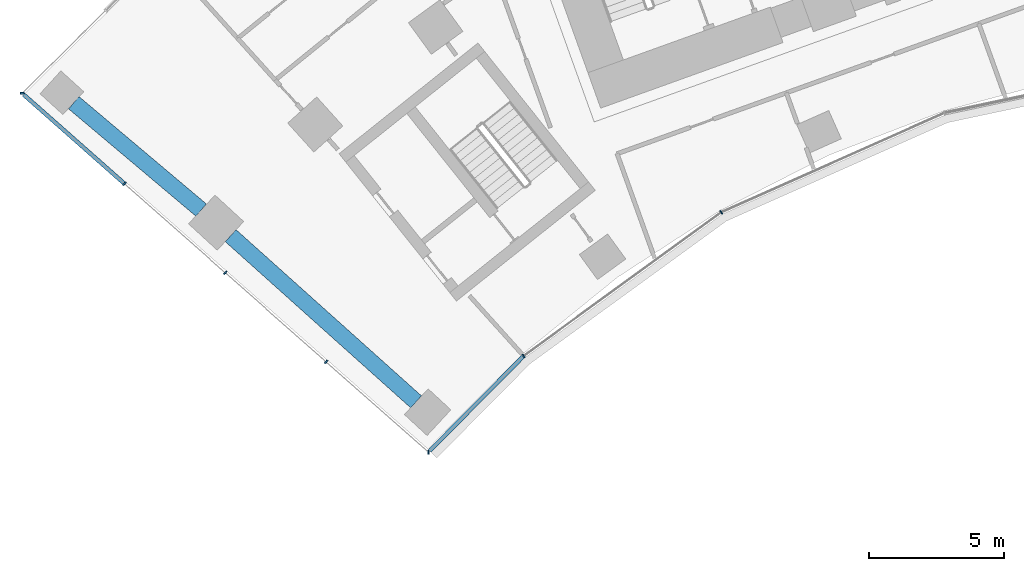
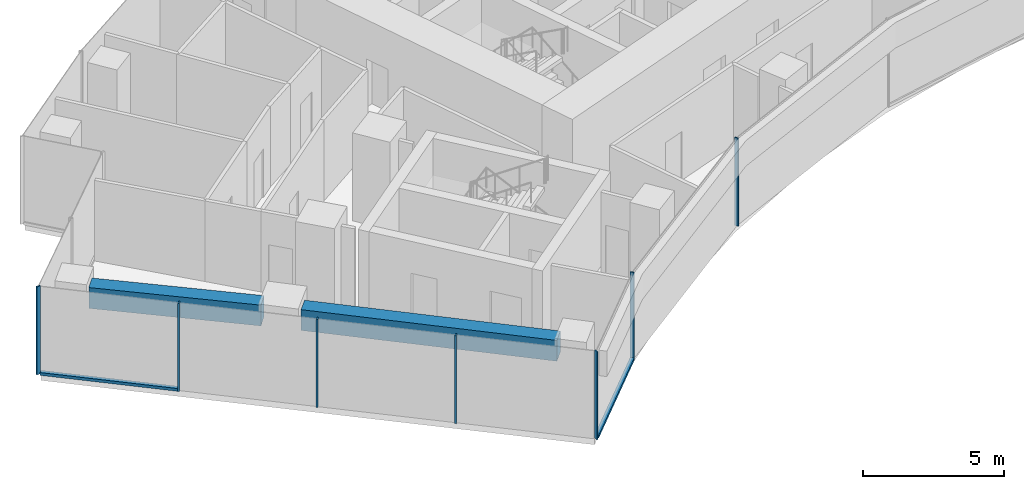
# One storey, part 2 of 21: 9 members, 2 beams, 2 elements without a shape of their own.
"""IFC4 building model written with IfcOpenShell, lengths in metres."""

from ifc_helpers import new_model, si_unit, direction, frame, origin, origin_2d, place, context, subcontext, project, spatial, rectangle, extrude, material, layer, layer_set, material_profile, profile_set, type_object, element, aggregate, save


model = new_model("IFC4")

# Units and contexts
model_context = context("Model", 3, precision=1e-05, world=origin(), true_north=direction((0.0, 1.0)))
body_context = subcontext(model_context, "Body", "Model", "MODEL_VIEW")
ifc_project = project(units=[si_unit("LENGTHUNIT", "METRE"), si_unit("AREAUNIT", "SQUARE_METRE"), si_unit("VOLUMEUNIT", "CUBIC_METRE"), si_unit("PLANEANGLEUNIT", "RADIAN"), si_unit("MASSUNIT", "GRAM", prefix="KILO")], contexts=[model_context])

# Site, building, storey
site_placement = place(None, origin())
site = spatial("IfcSite", under=ifc_project, at=site_placement, CompositionType="ELEMENT")
building_placement = place(site_placement, origin())
building = spatial("IfcBuilding", under=site, at=building_placement, Name="Stone Belt Terrace Tower", CompositionType="ELEMENT")
storey_placement = place(building_placement, frame((0.0, 0.0, 117.39990234375)))
storey = spatial("IfcBuildingStorey", under=building, at=storey_placement, Name="L28", CompositionType="ELEMENT", Elevation=117.39990234375)

# Curtain wall, members
ifc_material_1 = material(Name="Aluminium 6063-T6 anodised frame", Category="aluminium")
ifc_layer_1 = layer(ifc_material_1, 0.14990234375)
ifc_layer_set_1 = layer_set([ifc_layer_1], Name="CW-B unitised concave-face curtain wall")
curtain_wall_type_1 = type_object("IfcCurtainWallType", Name="CW-B unitised concave-face curtain wall", PredefinedType="NOTDEFINED", material=ifc_layer_set_1)
curtain_wall_1_placement = place(storey_placement, origin())
curtain_wall_1 = element("IfcCurtainWall", 1, at=curtain_wall_1_placement, inside=storey, type_object=curtain_wall_type_1, Name="CW-B concave face L28", PredefinedType="NOTDEFINED")
ifc_material_profile_1 = material_profile(ifc_material_1, rectangle(XDim=0.14990234375, YDim=0.050048828125, at=origin_2d()), Name="Aluminium 6063-T6 50x150")
ifc_profile_set_1 = profile_set([ifc_material_profile_1], Name="Aluminium 6063-T6 anodised frame")
member_type_1 = type_object("IfcMemberType", Name="CW-B mullion 50 x 150", PredefinedType="MULLION", material=ifc_profile_set_1)
member_1_placement = place(storey_placement, frame((-32.598876953125, 28.695068359375, 0.0), z_axis=(0.0, 0.0, 1.0), x_axis=(-0.03330979067, 0.999445074952, 0.0)))
member_1 = element("IfcMember", 2, at=member_1_placement, type_object=member_type_1, Name="CW-B mullion 1", PredefinedType="MULLION", context=body_context, shape_type="SweptSolid", body=[
    extrude(rectangle(XDim=0.14990234375, YDim=0.050048828125, at=origin_2d()), origin(), (0.0, 0.0, 1.0), 3.800048828125),
])
member_2_placement = place(storey_placement, frame((-29.05810546875, 32.269775390625, 0.0), z_axis=(0.0, 0.0, 1.0), x_axis=(-0.651254965366, 0.758858992229, 0.0)))
member_2 = element("IfcMember", 3, at=member_2_placement, type_object=member_type_1, Name="CW-B mullion 2", PredefinedType="MULLION", context=body_context, shape_type="SweptSolid", body=[
    extrude(rectangle(XDim=0.14990234375, YDim=0.050048828125, at=origin_2d()), origin(), (0.0, 0.0, 1.0), 3.800048828125),
])
member_3_placement = place(storey_placement, frame((-21.71240234375, 37.606689453125, 0.0), z_axis=(0.0, 0.0, 1.0), x_axis=(-0.5, 0.866025403784, 0.0)))
member_3 = element("IfcMember", 4, at=member_3_placement, type_object=member_type_1, Name="CW-B mullion 3", PredefinedType="MULLION", context=body_context, shape_type="SweptSolid", body=[
    extrude(rectangle(XDim=0.14990234375, YDim=0.050048828125, at=origin_2d()), origin(), (0.0, 0.0, 1.0), 3.800048828125),
])
ifc_material_profile_2 = material_profile(ifc_material_1, rectangle(XDim=0.14990234375, YDim=0.1201171875, at=origin_2d()), Name="Aluminium 6063-T6 150x120")
ifc_profile_set_2 = profile_set([ifc_material_profile_2], Name="Aluminium 6063-T6 anodised frame")
member_type_2 = type_object("IfcMemberType", Name="CW-B transom 120 x 150", PredefinedType="USERDEFINED", material=ifc_profile_set_2)
member_4_placement = place(storey_placement, frame((-32.5498046875, 28.74462890625, 0.06005859375), z_axis=(0.703706870473, 0.710490422489, 0.0), x_axis=(-0.710490422489, 0.703706870473, 0.0)))
member_4 = element("IfcMember", 5, at=member_4_placement, type_object=member_type_2, Name="CW-B transom 1.1", ObjectType="TRANSOM", PredefinedType="USERDEFINED", context=body_context, shape_type="SweptSolid", body=[
    extrude(rectangle(XDim=0.14990234375, YDim=0.1201171875, at=origin_2d()), origin(), (0.0, 0.0, 1.0), 4.9306640625),
])
aggregate(curtain_wall_1, [member_1, member_2, member_3, member_4])

ifc_layer_2 = layer(ifc_material_1, 0.14990234375)
ifc_layer_set_2 = layer_set([ifc_layer_2], Name="CW-C stick curtain wall, horn ends and notches")
curtain_wall_type_2 = type_object("IfcCurtainWallType", Name="CW-C stick curtain wall, horn ends and notches", PredefinedType="NOTDEFINED", material=ifc_layer_set_2)
curtain_wall_2_placement = place(storey_placement, origin())
curtain_wall_2 = element("IfcCurtainWall", 6, at=curtain_wall_2_placement, inside=storey, type_object=curtain_wall_type_2, Name="CW-C end face L28", PredefinedType="NOTDEFINED")
ifc_material_profile_3 = material_profile(ifc_material_1, rectangle(XDim=0.14990234375, YDim=0.06005859375, at=origin_2d()), Name="Aluminium 6063-T6 60x150")
ifc_profile_set_3 = profile_set([ifc_material_profile_3], Name="Aluminium 6063-T6 anodised frame")
member_type_3 = type_object("IfcMemberType", Name="CW-C mullion 60 x 150", PredefinedType="MULLION", material=ifc_profile_set_3)
member_5_placement = place(storey_placement, frame((-47.70166015625, 42.035888671875, 0.0), z_axis=(0.0, 0.0, 1.0), x_axis=(0.99960690559, 0.02803630319, 0.0)))
member_5 = element("IfcMember", 7, at=member_5_placement, type_object=member_type_3, Name="CW-C mullion 1", PredefinedType="MULLION", context=body_context, shape_type="SweptSolid", body=[
    extrude(rectangle(XDim=0.14990234375, YDim=0.06005859375, at=origin_2d()), origin(), (0.0, 0.0, 1.0), 3.800048828125),
])
member_6_placement = place(storey_placement, frame((-43.89404296875, 38.672607421875, 0.0), z_axis=(0.0, 0.0, 1.0), x_axis=(0.662029635427, 0.749477659318, 0.0)))
member_6 = element("IfcMember", 8, at=member_6_placement, type_object=member_type_3, Name="CW-C mullion 2", PredefinedType="MULLION", context=body_context, shape_type="SweptSolid", body=[
    extrude(rectangle(XDim=0.14990234375, YDim=0.06005859375, at=origin_2d()), origin(), (0.0, 0.0, 1.0), 3.800048828125),
])
member_7_placement = place(storey_placement, frame((-40.146728515625, 35.3623046875, 0.0), z_axis=(0.0, 0.0, 1.0), x_axis=(0.662029635427, 0.749477659318, 0.0)))
member_7 = element("IfcMember", 9, at=member_7_placement, type_object=member_type_3, Name="CW-C mullion 3", PredefinedType="MULLION", context=body_context, shape_type="SweptSolid", body=[
    extrude(rectangle(XDim=0.14990234375, YDim=0.06005859375, at=origin_2d()), origin(), (0.0, 0.0, 1.0), 3.800048828125),
])
member_8_placement = place(storey_placement, frame((-36.3994140625, 32.05224609375, 0.0), z_axis=(0.0, 0.0, 1.0), x_axis=(0.662029635427, 0.749477659318, 0.0)))
member_8 = element("IfcMember", 10, at=member_8_placement, type_object=member_type_3, Name="CW-C mullion 4", PredefinedType="MULLION", context=body_context, shape_type="SweptSolid", body=[
    extrude(rectangle(XDim=0.14990234375, YDim=0.06005859375, at=origin_2d()), origin(), (0.0, 0.0, 1.0), 3.800048828125),
])
ifc_material_profile_4 = material_profile(ifc_material_1, rectangle(XDim=0.14990234375, YDim=0.1201171875, at=origin_2d()), Name="Aluminium 6063-T6 150x120")
ifc_profile_set_4 = profile_set([ifc_material_profile_4], Name="Aluminium 6063-T6 anodised frame")
member_type_4 = type_object("IfcMemberType", Name="CW-C transom 120 x 150", PredefinedType="USERDEFINED", material=ifc_profile_set_4)
member_9_placement = place(storey_placement, frame((-47.645263671875, 41.986083984375, 0.06005859375), z_axis=(0.749476864033, -0.66203053576, 0.0), x_axis=(0.66203053576, 0.749476864033, 0.0)))
member_9 = element("IfcMember", 11, at=member_9_placement, type_object=member_type_4, Name="CW-C transom 1.1", ObjectType="TRANSOM", PredefinedType="USERDEFINED", context=body_context, shape_type="SweptSolid", body=[
    extrude(rectangle(XDim=0.14990234375, YDim=0.1201171875, at=origin_2d()), origin(), (0.0, 0.0, 1.0), 4.97509765625),
])
aggregate(curtain_wall_2, [member_5, member_6, member_7, member_8, member_9])

# Beams
ifc_material_2 = material(Name="Concrete B60", Category="concrete")
ifc_material_profile_5 = material_profile(ifc_material_2, rectangle(XDim=0.60009765625, YDim=0.89990234375, at=origin_2d()), Name="RC 600x900")
ifc_profile_set_5 = profile_set([ifc_material_profile_5], Name="Concrete B60")
beam_type = type_object("IfcBeamType", Name="Edge beam RC 600x900 B60", PredefinedType="SPANDREL", material=ifc_profile_set_5)
beam_1_placement = place(storey_placement, frame((-33.0546875, 30.564208984375, 3.030029296875), z_axis=(-0.744753401213, 0.667339772067, 0.0), x_axis=(-0.667339772067, -0.744753401213, 0.0)))
element("IfcBeam", 12, at=beam_1_placement, inside=storey, type_object=beam_type, Name="Edge beam L28 A P to Q", PredefinedType="SPANDREL", context=body_context, shape_type="SweptSolid", body=[
    extrude(rectangle(XDim=0.60009765625, YDim=0.89990234375, at=origin_2d()), origin(), (0.0, 0.0, 1.0), 9.256103515625),
])
beam_2_placement = place(storey_placement, frame((-41.043212890625, 37.692626953125, 3.030029296875), z_axis=(-0.764730245588, 0.644350565673, 0.0), x_axis=(-0.644350565673, -0.764730245588, 0.0)))
element("IfcBeam", 13, at=beam_2_placement, inside=storey, type_object=beam_type, Name="Edge beam L28 A Q to R", PredefinedType="SPANDREL", context=body_context, shape_type="SweptSolid", body=[
    extrude(rectangle(XDim=0.60009765625, YDim=0.89990234375, at=origin_2d()), origin(), (0.0, 0.0, 1.0), 6.19384765625),
])

save(model, "model.ifc")
